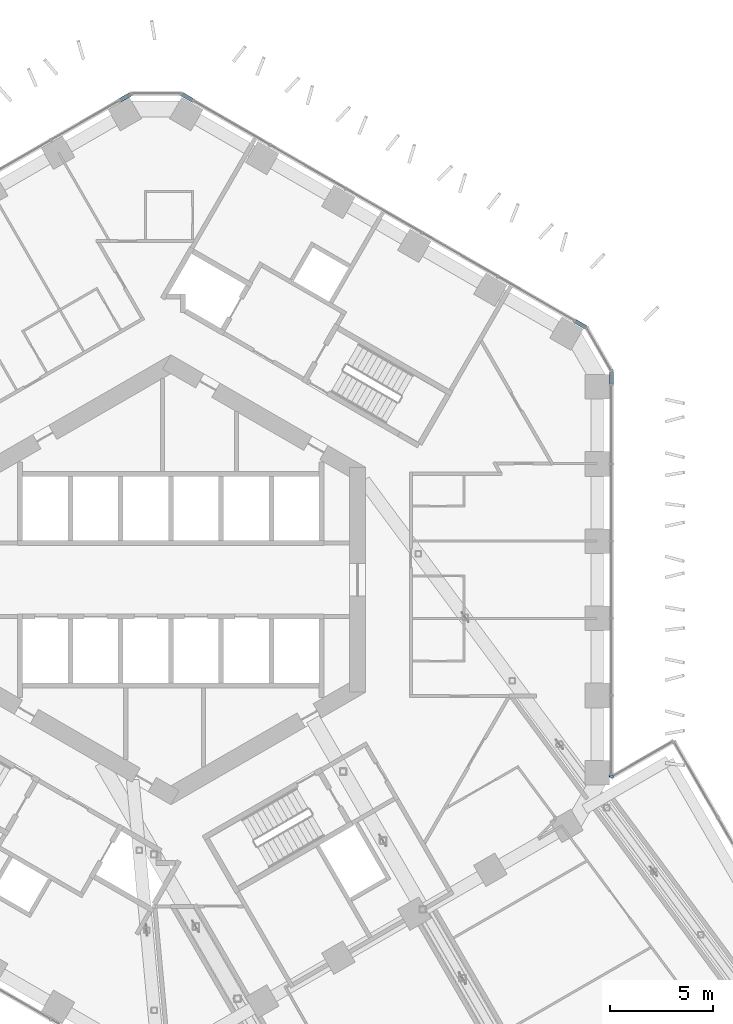
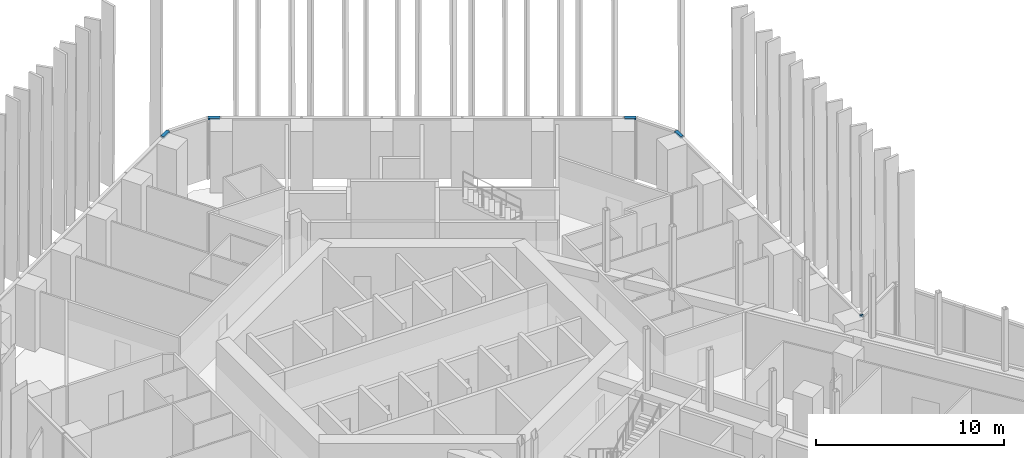
# One storey, part 12 of 29: 5 members, 3 elements without a shape of their own.
"""IFC4 building model written with IfcOpenShell, lengths in metres."""

from ifc_helpers import new_model, si_unit, direction, frame, origin, origin_2d, place, context, subcontext, project, spatial, rectangle, extrude, material, layer, layer_set, material_profile, profile_set, type_object, element, aggregate, save


model = new_model("IFC4")

# Units and contexts
model_context = context("Model", 3, precision=1e-05, world=origin(), true_north=direction((0.0, 1.0)))
body_context = subcontext(model_context, "Body", "Model", "MODEL_VIEW")
ifc_project = project(units=[si_unit("LENGTHUNIT", "METRE"), si_unit("AREAUNIT", "SQUARE_METRE"), si_unit("VOLUMEUNIT", "CUBIC_METRE"), si_unit("PLANEANGLEUNIT", "RADIAN"), si_unit("MASSUNIT", "GRAM", prefix="KILO")], contexts=[model_context])

# Site, building, storey
site_placement = place(None, origin())
site = spatial("IfcSite", under=ifc_project, at=site_placement, CompositionType="ELEMENT")
building_placement = place(site_placement, origin())
building = spatial("IfcBuilding", under=site, at=building_placement, Name="Ayvan Gate Tower", CompositionType="ELEMENT")
storey_placement = place(building_placement, frame((0.0, 0.0, 66.300048828125)))
storey = spatial("IfcBuildingStorey", under=building, at=storey_placement, Name="L17", CompositionType="ELEMENT", Elevation=66.300048828125)

# Curtain wall, member
ifc_material = material(Name="Bronze anodised aluminium", Category="aluminium")
ifc_layer = layer(ifc_material, 0.199951171875)
ifc_layer_set = layer_set([ifc_layer], Name="Bronze anodised aluminium")
curtain_wall_type = type_object("IfcCurtainWallType", Name="Stick curtain wall CW-6", PredefinedType="NOTDEFINED", material=ifc_layer_set)
curtain_wall_1_placement = place(storey_placement, origin())
curtain_wall_1 = element("IfcCurtainWall", 1, at=curtain_wall_1_placement, inside=storey, type_object=curtain_wall_type, Name="Stick curtain wall CW-6 L17", PredefinedType="NOTDEFINED")
ifc_material_profile = material_profile(ifc_material, rectangle(XDim=0.199951171875, YDim=0.1201171875, at=origin_2d()), Name="Stick curtain wall CW-6 transom 200 x 120")
ifc_profile_set = profile_set([ifc_material_profile], Name="Bronze anodised aluminium")
member_type = type_object("IfcMemberType", Name="Stick curtain wall CW-6 transom 200 x 120", PredefinedType="USERDEFINED", material=ifc_profile_set)
member_1_placement = place(storey_placement, frame((21.458984375, -9.633544921875, 3.93994140625), z_axis=(0.258736085224, 0.965948051503, 0.0), x_axis=(-0.965948051503, 0.258736085224, 0.0)))
member_1 = element("IfcMember", 2, at=member_1_placement, type_object=member_type, Name="CW-6 transom 1", ObjectType="TRANSOM", PredefinedType="USERDEFINED", context=body_context, shape_type="SweptSolid", body=[
    extrude(rectangle(XDim=0.199951171875, YDim=0.1201171875, at=origin_2d()), origin(), (0.0, 0.0, 1.0), 0.09912109375),
])
aggregate(curtain_wall_1, [member_1])

# Curtain wall, members
curtain_wall_2_placement = place(storey_placement, origin())
curtain_wall_2 = element("IfcCurtainWall", 3, at=curtain_wall_2_placement, inside=storey, type_object=curtain_wall_type, Name="Stick curtain wall CW-6 L17", PredefinedType="NOTDEFINED")
member_2_placement = place(storey_placement, frame((21.484619140625, 9.537841796875, 3.93994140625), z_axis=(0.0, 1.0, 0.0), x_axis=(-1.0, 0.0, 0.0)))
member_2 = element("IfcMember", 4, at=member_2_placement, type_object=member_type, Name="CW-6 transom 1", ObjectType="TRANSOM", PredefinedType="USERDEFINED", context=body_context, shape_type="SweptSolid", body=[
    extrude(rectangle(XDim=0.199951171875, YDim=0.1201171875, at=origin_2d()), origin(), (0.0, 0.0, 1.0), 0.625),
])
member_3_placement = place(storey_placement, frame((20.255615234375, 12.291259765625, 3.93994140625), z_axis=(-0.866022959057, 0.500004234368, 0.0), x_axis=(-0.500004234368, -0.866022959057, 0.0)))
member_3 = element("IfcMember", 5, at=member_3_placement, type_object=member_type, Name="CW-6 transom 3", ObjectType="TRANSOM", PredefinedType="USERDEFINED", context=body_context, shape_type="SweptSolid", body=[
    extrude(rectangle(XDim=0.199951171875, YDim=0.1201171875, at=origin_2d()), origin(), (0.0, 0.0, 1.0), 0.625),
])
aggregate(curtain_wall_2, [member_2, member_3])

curtain_wall_3_placement = place(storey_placement, origin())
curtain_wall_3 = element("IfcCurtainWall", 6, at=curtain_wall_3_placement, inside=storey, type_object=curtain_wall_type, Name="Stick curtain wall CW-6 L17", PredefinedType="NOTDEFINED")
member_4_placement = place(storey_placement, frame((1.05810546875, 23.375, 3.93994140625), z_axis=(-0.866022959057, 0.500004234368, 0.0), x_axis=(-0.500004234368, -0.866022959057, 0.0)))
member_4 = element("IfcMember", 7, at=member_4_placement, type_object=member_type, Name="CW-6 transom 1", ObjectType="TRANSOM", PredefinedType="USERDEFINED", context=body_context, shape_type="SweptSolid", body=[
    extrude(rectangle(XDim=0.199951171875, YDim=0.1201171875, at=origin_2d()), origin(), (0.0, 0.0, 1.0), 0.625),
])
member_5_placement = place(storey_placement, frame((-1.941162109375, 23.6875, 3.93994140625), z_axis=(-0.866022959057, -0.500004234368, 0.0), x_axis=(0.500004234368, -0.866022959057, 0.0)))
member_5 = element("IfcMember", 8, at=member_5_placement, type_object=member_type, Name="CW-6 transom 3", ObjectType="TRANSOM", PredefinedType="USERDEFINED", context=body_context, shape_type="SweptSolid", body=[
    extrude(rectangle(XDim=0.199951171875, YDim=0.1201171875, at=origin_2d()), origin(), (0.0, 0.0, 1.0), 0.625),
])
aggregate(curtain_wall_3, [member_4, member_5])

save(model, "model.ifc")
